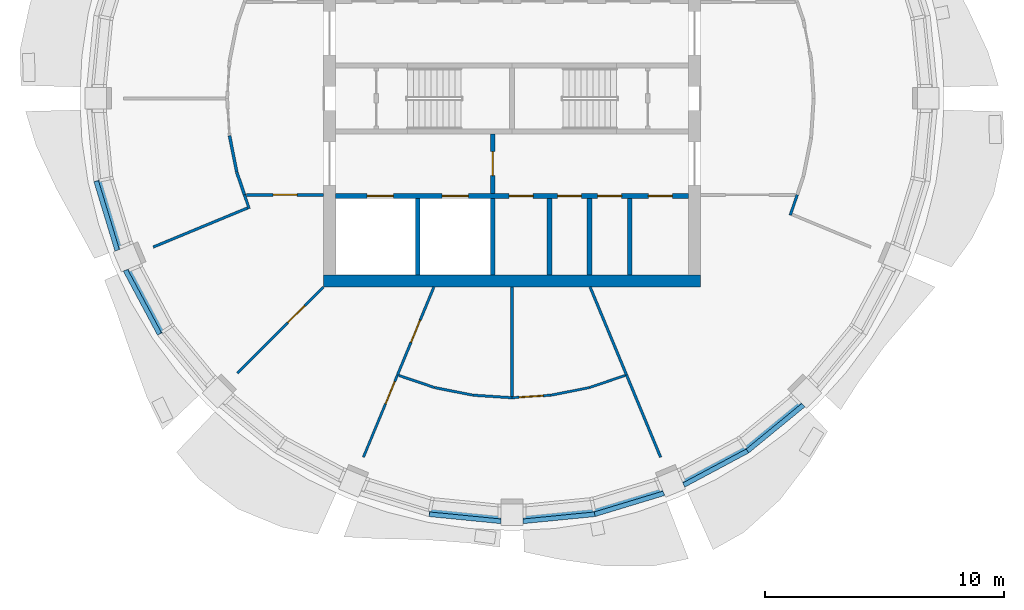
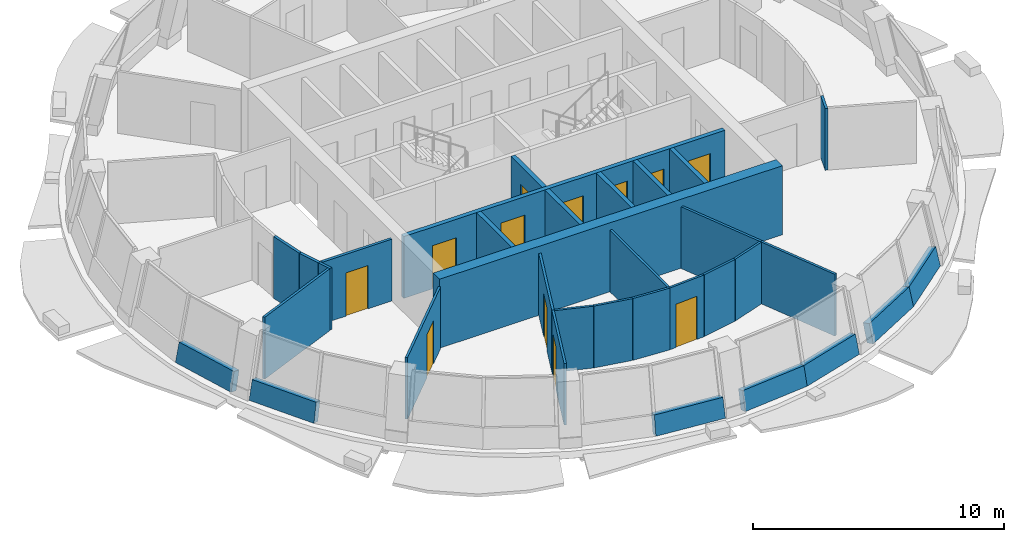
# One storey, part 4 of 11: 33 walls, 12 doors, 12 openings.
"""IFC4 building model written with IfcOpenShell, lengths in metres."""

from ifc_helpers import new_model, si_unit, direction, frame, frame_2d, origin, place, context, subcontext, project, spatial, polyline, rectangle, outline, extrude, material, layer, layer_set, type_object, element, fill, save


model = new_model("IFC4")

# Units and contexts
model_context = context("Model", 3, precision=1e-05, world=origin(), true_north=direction((0.0, 1.0)))
body_context = subcontext(model_context, "Body", "Model", "MODEL_VIEW")
ifc_project = project(units=[si_unit("LENGTHUNIT", "METRE"), si_unit("AREAUNIT", "SQUARE_METRE"), si_unit("VOLUMEUNIT", "CUBIC_METRE"), si_unit("PLANEANGLEUNIT", "RADIAN"), si_unit("MASSUNIT", "GRAM", prefix="KILO")], contexts=[model_context])

# Site, building, storey
site_placement = place(None, origin())
site = spatial("IfcSite", under=ifc_project, at=site_placement, CompositionType="ELEMENT")
building_placement = place(site_placement, origin())
building = spatial("IfcBuilding", under=site, at=building_placement, Name="Polderwave Tower", CompositionType="ELEMENT")
storey_placement = place(building_placement, frame((0.0, 0.0, 194.35009765625)))
storey = spatial("IfcBuildingStorey", under=building, at=storey_placement, Name="L52", CompositionType="ELEMENT", Elevation=194.35009765625)

# Walls
ifc_material_1 = material(Name="Concrete C60/75", Category="concrete")
ifc_layer_1 = layer(ifc_material_1, 0.5)
ifc_layer_set_1 = layer_set([ifc_layer_1], Name="CORE WALL 500 C60/75")
wall_type_1 = type_object("IfcWallType", Name="CORE WALL 500 C60/75", PredefinedType="SHEAR", material=ifc_layer_set_1)
wall_1_placement = place(storey_placement, frame((-7.8740234375, -7.6240234375, 0.0), z_axis=(0.0, 0.0, 1.0), x_axis=(1.0, 0.0, 0.0)))
element("IfcWall", 1, at=wall_1_placement, inside=storey, type_object=wall_type_1, Name="ST-CORE-L52-S", PredefinedType="SHEAR", context=body_context, shape_type="SweptSolid", body=[
    extrude(rectangle(XDim=15.748046875, YDim=0.5, at=frame_2d((7.8740234375, 0.0))), origin(), (0.0, 0.0, 1.0), 3.349853515625),
])
ifc_material_2 = material(Name="Concrete C50/60 (board-marked)", Category="concrete")
ifc_layer_2 = layer(ifc_material_2, 0.300048828125)
ifc_layer_set_2 = layer_set([ifc_layer_2], Name="Concrete spandrel upstand C50/60")
wall_type_2 = type_object("IfcWallType", Name="Concrete spandrel upstand C50/60", PredefinedType="SOLIDWALL", material=ifc_layer_set_2)
wall_2_placement = place(storey_placement, frame((-17.463134765625, -3.473388671875, 0.0), z_axis=(-0.935041095889, -0.283793868342, 0.212506915863), x_axis=(0.290427134364, -0.95689711026, -1.066012e-06)))
element("IfcWall", 2, at=wall_2_placement, inside=storey, type_object=wall_type_2, Name="Spandrel L52 9b", PredefinedType="SOLIDWALL", context=body_context, shape_type="SweptSolid", body=[
    extrude(outline(polyline([(0.0, 0.0), (3.0363904586248234, 0.0), (3.016955070826053, 0.9209402377429501), (0.019336098758911704, 0.9209336550658336), (0.0, 0.0)])), origin(), (0.0, 0.0, -1.0), 0.300048828125),
])
wall_3_placement = place(storey_placement, frame((-16.2353515625, -7.214599609375, 0.0), z_axis=(-0.861789394807, -0.460754770514, 0.212188784921), x_axis=(0.471490043987, -0.881871384263, -6.256758e-06)))
element("IfcWall", 3, at=wall_3_placement, inside=storey, type_object=wall_type_2, Name="Spandrel L52 10a", PredefinedType="SOLIDWALL", context=body_context, shape_type="SweptSolid", body=[
    extrude(outline(polyline([(0.0, 0.0), (3.03554549958396, -5.551115123125783e-17), (3.0163089928091895, 0.9208911097248913), (0.019423712232032004, 0.9208524867681933), (0.0, 0.0)])), origin(), (0.0, 0.0, -1.0), 0.300048828125),
])
wall_4_placement = place(storey_placement, frame((-3.473388671875, -17.463134765625, 0.0), z_axis=(-0.095859451019, -0.97243560254, 0.212555791646), x_axis=(0.995176371772, -0.098101931965, -3.531569e-06)))
element("IfcWall", 4, at=wall_4_placement, inside=storey, type_object=wall_type_2, Name="Spandrel L52 12b", PredefinedType="SOLIDWALL", context=body_context, shape_type="SweptSolid", body=[
    extrude(outline(polyline([(0.0, 0.0), (3.0356437454340064, 0.0), (3.0160933667967216, 0.9209578660590205), (0.019220983093998154, 0.920936063603324), (0.0, 0.0)])), origin(), (0.0, 0.0, -1.0), 0.300048828125),
])
wall_5_placement = place(storey_placement, frame((0.452392578125, -17.760986328125, 0.0), z_axis=(0.095864823567, -0.97249010376, 0.212303871116), x_axis=(0.99517637195, 0.098101930154, 3.527581e-06)))
element("IfcWall", 5, at=wall_5_placement, inside=storey, type_object=wall_type_2, Name="Spandrel L52 13a", PredefinedType="SOLIDWALL", context=body_context, shape_type="SweptSolid", body=[
    extrude(outline(polyline([(0.0, 0.0), (3.0356437454339593, 0.0), (3.0163988077285375, 0.9208844640206579), (0.019526424025674134, 0.9209062406361449), (0.0, 0.0)])), origin(), (0.0, 0.0, -1.0), 0.300048828125),
])
wall_6_placement = place(storey_placement, frame((3.473388671875, -17.463134765625, 0.0), z_axis=(0.283793868342, -0.935041095889, 0.212506915863), x_axis=(0.95689711026, 0.290427134364, -1.066012e-06)))
element("IfcWall", 6, at=wall_6_placement, inside=storey, type_object=wall_type_2, Name="Spandrel L52 13b", PredefinedType="SOLIDWALL", context=body_context, shape_type="SweptSolid", body=[
    extrude(outline(polyline([(0.0, 0.0), (3.0363904586248234, 0.0), (3.016955070826053, 0.9209402377429501), (0.019336098758911704, 0.9209336550658336), (0.0, 0.0)])), origin(), (0.0, 0.0, -1.0), 0.300048828125),
])
wall_7_placement = place(storey_placement, frame((7.214599609375, -16.2353515625, 0.0), z_axis=(0.460754770514, -0.861789394807, 0.212188784921), x_axis=(0.881871384263, 0.471490043987, -6.256758e-06)))
element("IfcWall", 7, at=wall_7_placement, inside=storey, type_object=wall_type_2, Name="Spandrel L52 14a", PredefinedType="SOLIDWALL", context=body_context, shape_type="SweptSolid", body=[
    extrude(outline(polyline([(0.0, 0.0), (3.03554549958396, -5.551115123125783e-17), (3.0163089928091895, 0.9208911097248913), (0.019423712232032004, 0.9208524867681933), (0.0, 0.0)])), origin(), (0.0, 0.0, -1.0), 0.300048828125),
])
wall_8_placement = place(storey_placement, frame((9.8916015625, -14.80419921875, 0.0), z_axis=(0.619802269372, -0.755497688388, 0.212293169277), x_axis=(0.773120249997, 0.634259472964, -5.64234e-07)))
element("IfcWall", 8, at=wall_8_placement, inside=storey, type_object=wall_type_2, Name="Spandrel L52 14b", PredefinedType="SOLIDWALL", context=body_context, shape_type="SweptSolid", body=[
    extrude(outline(polyline([(0.0, 0.0), (3.0362768375144626, 0.0), (3.01698634388749, 0.9208949038144901), (0.019221864233381108, 0.9208914197913123), (0.0, 0.0)])), origin(), (0.0, 0.0, -1.0), 0.300048828125),
])

# Wall, opening, door
ifc_material_3 = material(Name="Gypsum board partition")
ifc_layer_3 = layer(ifc_material_3, 0.199951171875)
ifc_layer_set_3 = layer_set([ifc_layer_3], Name="Core room partition 200")
wall_type_3 = type_object("IfcWallType", Name="Core room partition 200", PredefinedType="PARTITIONING", material=ifc_layer_set_3)
wall_9_placement = place(storey_placement, frame((-0.800048828125, -3.97412109375, 0.0), z_axis=(0.0, 0.0, 1.0), x_axis=(0.0, 1.0, 0.0)))
wall_9 = element("IfcWall", 9, at=wall_9_placement, inside=storey, type_object=wall_type_3, Name="L52 fire-fighting lobby wall", PredefinedType="PARTITIONING", context=body_context, shape_type="SweptSolid", body=[
    extrude(rectangle(XDim=2.4990234375, YDim=0.199951171875, at=frame_2d((1.24951171875, 0.0))), origin(), (0.0, 0.0, 1.0), 3.0),
])
opening_1_placement = place(wall_9_placement, frame((0.74951171875, 0.0, 0.0)))
opening_1 = element("IfcOpeningElement", 10, at=opening_1_placement, cuts=wall_9, Name="Opening L52-D14", PredefinedType="OPENING", context=body_context, shape_type="SweptSolid", body=[
    extrude(rectangle(XDim=1.0, YDim=2.10009765625, at=frame_2d((0.5, 1.050048828125))), frame((0.0, 0.10986328125, 0.0), z_axis=(0.0, -1.0, 0.0), x_axis=(1.0, 0.0, 0.0)), (0.0, 0.0, 1.0), 0.219970703125),
])
ifc_material_4 = material(Name="Steel fire door", Category="steel")
door_type_1 = type_object("IfcDoorType", Name="Lobby fire door 1000", OperationType="NOTDEFINED", PredefinedType="DOOR", material=ifc_material_4)
door_1_placement = place(opening_1_placement, frame((1.0, 0.0, 0.0), z_axis=(0.0, 0.0, 1.0), x_axis=(-1.0, 0.0, 0.0)))
door_1 = element("IfcDoor", 11, at=door_1_placement, inside=storey, type_object=door_type_1, Name="Fire-fighting lobby door", OperationType="SINGLE_SWING_LEFT", OverallHeight=2.10009765625, OverallWidth=1.0, PredefinedType="DOOR", context=body_context, shape_type="SweptSolid", body=[
    extrude(rectangle(XDim=1.0, YDim=2.10009765625, at=frame_2d((0.5, 1.050048828125))), frame((0.0, 0.02490234375, 0.0), z_axis=(0.0, -1.0, 0.0), x_axis=(1.0, 0.0, 0.0)), (0.0, 0.0, 1.0), 0.050048828125),
])
fill(opening_1, door_1)

# Walls
for number, where, z_axis, x_axis, name in (
    (12, (1.5634765625, -7.3740234375, 0.0), (0.0, 0.0, 1.0), (0.0, 1.0, 0.0), "L52 room partition S1"),
    (13, (3.23876953125, -7.3740234375, 0.0), (0.0, 0.0, 1.0), (0.0, 1.0, 0.0), "L52 room partition S2"),
    (14, (4.913818359375, -7.3740234375, 0.0), (0.0, 0.0, 1.0), (0.0, 1.0, 0.0), "L52 room partition S3"),
):
    element("IfcWall", number, at=place(storey_placement, frame(where, z_axis=z_axis, x_axis=x_axis)), inside=storey, type_object=wall_type_3, Name=name, PredefinedType="PARTITIONING", context=body_context, shape_type="SweptSolid", body=[
        extrude(rectangle(XDim=3.199951171875, YDim=0.199951171875, at=frame_2d((1.60009765625, 0.0))), origin(), (0.0, 0.0, 1.0), 3.0),
    ])

# Wall, openings, doors
ifc_material_5 = material(Name="Concrete C50/60", Category="concrete")
ifc_layer_4 = layer(ifc_material_5, 0.199951171875)
ifc_layer_set_4 = layer_set([ifc_layer_4], Name="Core web wall 200")
wall_type_4 = type_object("IfcWallType", Name="Core web wall 200", PredefinedType="SHEAR", material=ifc_layer_set_4)
wall_10_placement = place(storey_placement, frame((-7.3740234375, -4.073974609375, 0.0), z_axis=(0.0, 0.0, 1.0), x_axis=(1.0, 0.0, 0.0)))
wall_10 = element("IfcWall", 15, at=wall_10_placement, inside=storey, type_object=wall_type_4, Name="L52 south front wall", PredefinedType="SHEAR", context=body_context, shape_type="SweptSolid", body=[
    extrude(rectangle(XDim=14.748046875, YDim=0.199951171875, at=frame_2d((7.3740234375, 0.0))), origin(), (0.0, 0.0, 1.0), 3.0),
])
opening_2_placement = place(wall_10_placement, frame((1.318603515625, 0.0, 0.0)))
opening_2 = element("IfcOpeningElement", 16, at=opening_2_placement, cuts=wall_10, Name="Opening L52-D01", PredefinedType="OPENING", context=body_context, shape_type="SweptSolid", body=[
    extrude(rectangle(XDim=1.10009765625, YDim=2.10009765625, at=frame_2d((0.550048828125, 1.050048828125))), frame((0.0, 0.10986328125, 0.0), z_axis=(0.0, -1.0, 0.0), x_axis=(1.0, 0.0, 0.0)), (0.0, 0.0, 1.0), 0.219970703125),
])
opening_3_placement = place(wall_10_placement, frame((4.45556640625, 0.0, 0.0)))
opening_3 = element("IfcOpeningElement", 17, at=opening_3_placement, cuts=wall_10, Name="Opening L52-D02", PredefinedType="OPENING", context=body_context, shape_type="SweptSolid", body=[
    extrude(rectangle(XDim=1.10009765625, YDim=2.10009765625, at=frame_2d((0.550048828125, 1.050048828125))), frame((0.0, 0.10986328125, 0.0), z_axis=(0.0, -1.0, 0.0), x_axis=(1.0, 0.0, 0.0)), (0.0, 0.0, 1.0), 0.219970703125),
])
opening_4_placement = place(wall_10_placement, frame((7.255859375, 0.0, 0.0)))
opening_4 = element("IfcOpeningElement", 18, at=opening_4_placement, cuts=wall_10, Name="Opening L52-D15", PredefinedType="OPENING", context=body_context, shape_type="SweptSolid", body=[
    extrude(rectangle(XDim=1.0, YDim=2.10009765625, at=frame_2d((0.5, 1.050048828125))), frame((0.0, 0.10986328125, 0.0), z_axis=(0.0, -1.0, 0.0), x_axis=(1.0, 0.0, 0.0)), (0.0, 0.0, 1.0), 0.219970703125),
])
opening_5_placement = place(wall_10_placement, frame((9.275146484375, 0.0, 0.0)))
opening_5 = element("IfcOpeningElement", 19, at=opening_5_placement, cuts=wall_10, Name="Opening L52-D16", PredefinedType="OPENING", context=body_context, shape_type="SweptSolid", body=[
    extrude(rectangle(XDim=1.0, YDim=2.10009765625, at=frame_2d((0.5, 1.050048828125))), frame((0.0, 0.10986328125, 0.0), z_axis=(0.0, -1.0, 0.0), x_axis=(1.0, 0.0, 0.0)), (0.0, 0.0, 1.0), 0.219970703125),
])
opening_6_placement = place(wall_10_placement, frame((10.9501953125, 0.0, 0.0)))
opening_6 = element("IfcOpeningElement", 20, at=opening_6_placement, cuts=wall_10, Name="Opening L52-D17", PredefinedType="OPENING", context=body_context, shape_type="SweptSolid", body=[
    extrude(rectangle(XDim=1.0, YDim=2.10009765625, at=frame_2d((0.5, 1.050048828125))), frame((0.0, 0.10986328125, 0.0), z_axis=(0.0, -1.0, 0.0), x_axis=(1.0, 0.0, 0.0)), (0.0, 0.0, 1.0), 0.219970703125),
])
opening_7_placement = place(wall_10_placement, frame((13.06787109375, 0.0, 0.0)))
opening_7 = element("IfcOpeningElement", 21, at=opening_7_placement, cuts=wall_10, Name="Opening L52-D18", PredefinedType="OPENING", context=body_context, shape_type="SweptSolid", body=[
    extrude(rectangle(XDim=1.0, YDim=2.10009765625, at=frame_2d((0.5, 1.050048828125))), frame((0.0, 0.10986328125, 0.0), z_axis=(0.0, -1.0, 0.0), x_axis=(1.0, 0.0, 0.0)), (0.0, 0.0, 1.0), 0.219970703125),
])
ifc_material_6 = material(Name="Timber door leaf", Category="wood")
door_type_2 = type_object("IfcDoorType", Name="Accessible WC door 1000", OperationType="NOTDEFINED", PredefinedType="DOOR", material=ifc_material_6)
door_2_placement = place(opening_4_placement, frame((1.0, 0.0, 0.0), z_axis=(0.0, 0.0, 1.0), x_axis=(-1.0, 0.0, 0.0)))
door_2 = element("IfcDoor", 22, at=door_2_placement, inside=storey, type_object=door_type_2, Name="Accessible WC door", OperationType="SINGLE_SWING_LEFT", OverallHeight=2.10009765625, OverallWidth=1.0, PredefinedType="DOOR", context=body_context, shape_type="SweptSolid", body=[
    extrude(rectangle(XDim=1.0, YDim=2.10009765625, at=frame_2d((0.5, 1.050048828125))), frame((0.0, 0.02490234375, 0.0), z_axis=(0.0, -1.0, 0.0), x_axis=(1.0, 0.0, 0.0)), (0.0, 0.0, 1.0), 0.050048828125),
])
fill(opening_4, door_2)
ifc_material_7 = material(Name="Stainless steel", Category="steel")
door_type_3 = type_object("IfcDoorType", Name="Fire-fighting lift landing door 1100", OperationType="DOUBLE_DOOR_SLIDING", PredefinedType="DOOR", material=ifc_material_7)
door_3_placement = place(opening_2_placement, origin())
door_3 = element("IfcDoor", 23, at=door_3_placement, inside=storey, type_object=door_type_3, Name="Fire-fighting lift FF1 landing door", OperationType="DOUBLE_DOOR_SLIDING", OverallHeight=2.10009765625, OverallWidth=1.10009765625, PredefinedType="DOOR", context=body_context, shape_type="SweptSolid", body=[
    extrude(rectangle(XDim=1.10009765625, YDim=2.10009765625, at=frame_2d((0.550048828125, 1.050048828125))), frame((0.0, 0.02490234375, 0.0), z_axis=(0.0, -1.0, 0.0), x_axis=(1.0, 0.0, 0.0)), (0.0, 0.0, 1.0), 0.050048828125),
])
fill(opening_2, door_3)
door_4_placement = place(opening_3_placement, origin())
door_4 = element("IfcDoor", 24, at=door_4_placement, inside=storey, type_object=door_type_3, Name="Fire-fighting lift FF2 landing door", OperationType="DOUBLE_DOOR_SLIDING", OverallHeight=2.10009765625, OverallWidth=1.10009765625, PredefinedType="DOOR", context=body_context, shape_type="SweptSolid", body=[
    extrude(rectangle(XDim=1.10009765625, YDim=2.10009765625, at=frame_2d((0.550048828125, 1.050048828125))), frame((0.0, 0.02490234375, 0.0), z_axis=(0.0, -1.0, 0.0), x_axis=(1.0, 0.0, 0.0)), (0.0, 0.0, 1.0), 0.050048828125),
])
fill(opening_3, door_4)
door_type_4 = type_object("IfcDoorType", Name="Room door 1000", OperationType="NOTDEFINED", PredefinedType="DOOR", material=ifc_material_6)
door_5_placement = place(opening_5_placement, frame((1.0, 0.0, 0.0), z_axis=(0.0, 0.0, 1.0), x_axis=(-1.0, 0.0, 0.0)))
door_5 = element("IfcDoor", 25, at=door_5_placement, inside=storey, type_object=door_type_4, Name="Staff WC door", OperationType="SINGLE_SWING_LEFT", OverallHeight=2.10009765625, OverallWidth=1.0, PredefinedType="DOOR", context=body_context, shape_type="SweptSolid", body=[
    extrude(rectangle(XDim=1.0, YDim=2.10009765625, at=frame_2d((0.5, 1.050048828125))), frame((0.0, 0.02490234375, 0.0), z_axis=(0.0, -1.0, 0.0), x_axis=(1.0, 0.0, 0.0)), (0.0, 0.0, 1.0), 0.050048828125),
])
fill(opening_5, door_5)
door_6_placement = place(opening_6_placement, frame((1.0, 0.0, 0.0), z_axis=(0.0, 0.0, 1.0), x_axis=(-1.0, 0.0, 0.0)))
door_6 = element("IfcDoor", 26, at=door_6_placement, inside=storey, type_object=door_type_4, Name="Cleaner's store door", OperationType="SINGLE_SWING_LEFT", OverallHeight=2.10009765625, OverallWidth=1.0, PredefinedType="DOOR", context=body_context, shape_type="SweptSolid", body=[
    extrude(rectangle(XDim=1.0, YDim=2.10009765625, at=frame_2d((0.5, 1.050048828125))), frame((0.0, 0.02490234375, 0.0), z_axis=(0.0, -1.0, 0.0), x_axis=(1.0, 0.0, 0.0)), (0.0, 0.0, 1.0), 0.050048828125),
])
fill(opening_6, door_6)
door_7_placement = place(opening_7_placement, frame((1.0, 0.0, 0.0), z_axis=(0.0, 0.0, 1.0), x_axis=(-1.0, 0.0, 0.0)))
door_7 = element("IfcDoor", 27, at=door_7_placement, inside=storey, type_object=door_type_4, Name="IT room door", OperationType="SINGLE_SWING_LEFT", OverallHeight=2.10009765625, OverallWidth=1.0, PredefinedType="DOOR", context=body_context, shape_type="SweptSolid", body=[
    extrude(rectangle(XDim=1.0, YDim=2.10009765625, at=frame_2d((0.5, 1.050048828125))), frame((0.0, 0.02490234375, 0.0), z_axis=(0.0, -1.0, 0.0), x_axis=(1.0, 0.0, 0.0)), (0.0, 0.0, 1.0), 0.050048828125),
])
fill(opening_7, door_7)

# Walls
ifc_material_8 = material(Name="Fire-resisting board on steel studs", Category="steel")
ifc_layer_5 = layer(ifc_material_8, 0.125)
ifc_layer_set_5 = layer_set([ifc_layer_5], Name="Corridor wall 125 mm EI 60")
wall_type_5 = type_object("IfcWallType", Name="Corridor wall 125 mm EI 60", PredefinedType="PARTITIONING", material=ifc_layer_set_5)
wall_11_placement = place(storey_placement, frame((-11.495361328125, -3.075927734375, 0.0), z_axis=(0.0, 0.0, 1.0), x_axis=(-0.195054687935, 0.98079236779, 0.0)))
element("IfcWall", 28, at=wall_11_placement, inside=storey, type_object=wall_type_5, Name="IN-L52-W014", PredefinedType="PARTITIONING", context=body_context, shape_type="SweptSolid", body=[
    extrude(rectangle(XDim=1.54833984375, YDim=0.125, at=frame_2d((0.774169921875, 0.0))), origin(), (0.0, 0.0, 1.0), 3.0),
])
wall_12_placement = place(storey_placement, frame((-11.173828125, -4.0244140625, 0.0), z_axis=(0.0, 0.0, 1.0), x_axis=(-0.321457698768, 0.946923939872, 0.0)))
element("IfcWall", 29, at=wall_12_placement, inside=storey, type_object=wall_type_5, Name="IN-L52-W015", PredefinedType="PARTITIONING", context=body_context, shape_type="SweptSolid", body=[
    extrude(rectangle(XDim=0.993408203125, YDim=0.125, at=frame_2d((0.49658203125, 0.0))), origin(), (0.0, 0.0, 1.0), 3.0),
])

# Wall, opening, door
wall_13_placement = place(storey_placement, frame((-7.8740234375, -4.0244140625, 0.0), z_axis=(0.0, 0.0, 1.0), x_axis=(-1.0, 0.0, 0.0)))
wall_13 = element("IfcWall", 30, at=wall_13_placement, inside=storey, type_object=wall_type_5, Name="IN-L52-W016", PredefinedType="PARTITIONING", context=body_context, shape_type="SweptSolid", body=[
    extrude(rectangle(XDim=3.212646484375, YDim=0.125, at=frame_2d((1.6064453125, 0.0))), origin(), (0.0, 0.0, 1.0), 3.0),
])
opening_8_placement = place(wall_13_placement, frame((1.10009765625, 0.0, 0.0)))
opening_8 = element("IfcOpeningElement", 31, at=opening_8_placement, cuts=wall_13, Name="Opening L52-D56", PredefinedType="OPENING", context=body_context, shape_type="SweptSolid", body=[
    extrude(rectangle(XDim=1.0, YDim=2.10009765625, at=frame_2d((0.5, 1.050048828125))), frame((0.0, 0.072509765625, 0.0), z_axis=(0.0, -1.0, 0.0), x_axis=(1.0, 0.0, 0.0)), (0.0, 0.0, 1.0), 0.14501953125),
])
ifc_material_9 = material(Name="Timber fire door leaf", Category="wood")
door_type_5 = type_object("IfcDoorType", Name="Fire door FD30S 1000 x 2100", OperationType="NOTDEFINED", PredefinedType="DOOR", material=ifc_material_9)
door_8_placement = place(opening_8_placement, origin())
door_8 = element("IfcDoor", 32, at=door_8_placement, inside=storey, type_object=door_type_5, Name="Door L52-D56", OperationType="SINGLE_SWING_LEFT", OverallHeight=2.10009765625, OverallWidth=1.0, PredefinedType="DOOR", context=body_context, shape_type="SweptSolid", body=[
    extrude(rectangle(XDim=1.0, YDim=2.10009765625, at=frame_2d((0.5, 1.050048828125))), frame((0.0, 0.02490234375, 0.0), z_axis=(0.0, -1.0, 0.0), x_axis=(1.0, 0.0, 0.0)), (0.0, 0.0, 1.0), 0.050048828125),
])
fill(opening_8, door_8)

ifc_material_10 = material(Name="Plasterboard on steel studs", Category="steel")
ifc_layer_6 = layer(ifc_material_10, 0.10009765625)
ifc_layer_set_6 = layer_set([ifc_layer_6], Name="Partition 100 mm plasterboard on steel studs")
wall_type_6 = type_object("IfcWallType", Name="Partition 100 mm plasterboard on steel studs", PredefinedType="PARTITIONING", material=ifc_layer_set_6)
wall_14_placement = place(storey_placement, frame((-7.8740234375, -7.8740234375, 0.0), z_axis=(0.0, 0.0, 1.0), x_axis=(-0.707106781187, -0.707106781187, 0.0)))
wall_14 = element("IfcWall", 33, at=wall_14_placement, inside=storey, type_object=wall_type_6, Name="IN-L52-W040", PredefinedType="PARTITIONING", context=body_context, shape_type="SweptSolid", body=[
    extrude(rectangle(XDim=5.08447265625, YDim=0.10009765625, at=frame_2d((2.542236328125, 0.0))), origin(), (0.0, 0.0, 1.0), 3.0),
])
opening_9_placement = place(wall_14_placement, frame((1.10009765625, 0.0, 0.0)))
opening_9 = element("IfcOpeningElement", 34, at=opening_9_placement, cuts=wall_14, Name="Opening L52-D63", PredefinedType="OPENING", context=body_context, shape_type="SweptSolid", body=[
    extrude(rectangle(XDim=1.0, YDim=2.10009765625, at=frame_2d((0.5, 1.050048828125))), frame((0.0, 0.06005859375, 0.0), z_axis=(0.0, -1.0, 0.0), x_axis=(1.0, 0.0, 0.0)), (0.0, 0.0, 1.0), 0.1201171875),
])
ifc_material_11 = material(Name="Timber veneer door leaf", Category="wood")
door_type_6 = type_object("IfcDoorType", Name="Single door 1000 x 2100", OperationType="NOTDEFINED", PredefinedType="DOOR", material=ifc_material_11)
door_9_placement = place(opening_9_placement, origin())
door_9 = element("IfcDoor", 35, at=door_9_placement, inside=storey, type_object=door_type_6, Name="Door L52-D63", OperationType="SINGLE_SWING_LEFT", OverallHeight=2.10009765625, OverallWidth=1.0, PredefinedType="DOOR", context=body_context, shape_type="SweptSolid", body=[
    extrude(rectangle(XDim=1.0, YDim=2.10009765625, at=frame_2d((0.5, 1.050048828125))), frame((0.0, 0.02490234375, 0.0), z_axis=(0.0, -1.0, 0.0), x_axis=(1.0, 0.0, 0.0)), (0.0, 0.0, 1.0), 0.050048828125),
])
fill(opening_9, door_9)

wall_15_placement = place(storey_placement, frame((-4.783447265625, -11.548583984375, 0.0), z_axis=(0.0, 0.0, 1.0), x_axis=(-0.382689912762, -0.923876848216, 0.0)))
wall_15 = element("IfcWall", 36, at=wall_15_placement, inside=storey, type_object=wall_type_6, Name="IN-L52-W042", PredefinedType="PARTITIONING", context=body_context, shape_type="SweptSolid", body=[
    extrude(rectangle(XDim=3.719970703125, YDim=0.10009765625, at=frame_2d((1.85986328125, 0.0))), origin(), (0.0, 0.0, 1.0), 3.0),
])
opening_10_placement = place(wall_15_placement, frame((0.300048828125, 0.0, 0.0)))
opening_10 = element("IfcOpeningElement", 37, at=opening_10_placement, cuts=wall_15, Name="Opening L52-D65", PredefinedType="OPENING", context=body_context, shape_type="SweptSolid", body=[
    extrude(rectangle(XDim=1.0, YDim=2.10009765625, at=frame_2d((0.5, 1.050048828125))), frame((0.0, 0.06005859375, 0.0), z_axis=(0.0, -1.0, 0.0), x_axis=(1.0, 0.0, 0.0)), (0.0, 0.0, 1.0), 0.1201171875),
])
door_10_placement = place(opening_10_placement, origin())
door_10 = element("IfcDoor", 38, at=door_10_placement, inside=storey, type_object=door_type_6, Name="Door L52-D65", OperationType="SINGLE_SWING_LEFT", OverallHeight=2.10009765625, OverallWidth=1.0, PredefinedType="DOOR", context=body_context, shape_type="SweptSolid", body=[
    extrude(rectangle(XDim=1.0, YDim=2.10009765625, at=frame_2d((0.5, 1.050048828125))), frame((0.0, 0.02490234375, 0.0), z_axis=(0.0, -1.0, 0.0), x_axis=(1.0, 0.0, 0.0)), (0.0, 0.0, 1.0), 0.050048828125),
])
fill(opening_10, door_10)

wall_16_placement = place(storey_placement, frame((0.0, -12.5, 0.0), z_axis=(0.0, 0.0, 1.0), x_axis=(0.997860630529, 0.065377075793, 0.0)))
wall_16 = element("IfcWall", 39, at=wall_16_placement, inside=storey, type_object=wall_type_6, Name="IN-L52-W047", PredefinedType="PARTITIONING", context=body_context, shape_type="SweptSolid", body=[
    extrude(rectangle(XDim=1.6318359375, YDim=0.10009765625, at=frame_2d((0.81591796875, 0.0))), origin(), (0.0, 0.0, 1.0), 3.0),
])
opening_11_placement = place(wall_16_placement, frame((0.300048828125, 0.0, 0.0)))
opening_11 = element("IfcOpeningElement", 40, at=opening_11_placement, cuts=wall_16, Name="Opening L52-D66", PredefinedType="OPENING", context=body_context, shape_type="SweptSolid", body=[
    extrude(rectangle(XDim=1.0, YDim=2.10009765625, at=frame_2d((0.5, 1.050048828125))), frame((0.0, 0.06005859375, 0.0), z_axis=(0.0, -1.0, 0.0), x_axis=(1.0, 0.0, 0.0)), (0.0, 0.0, 1.0), 0.1201171875),
])
door_11_placement = place(opening_11_placement, origin())
door_11 = element("IfcDoor", 41, at=door_11_placement, inside=storey, type_object=door_type_6, Name="Door L52-D66", OperationType="SINGLE_SWING_LEFT", OverallHeight=2.10009765625, OverallWidth=1.0, PredefinedType="DOOR", context=body_context, shape_type="SweptSolid", body=[
    extrude(rectangle(XDim=1.0, YDim=2.10009765625, at=frame_2d((0.5, 1.050048828125))), frame((0.0, 0.02490234375, 0.0), z_axis=(0.0, -1.0, 0.0), x_axis=(1.0, 0.0, 0.0)), (0.0, 0.0, 1.0), 0.050048828125),
])
fill(opening_11, door_11)

# Walls
wall_17_placement = place(storey_placement, frame((1.634765625, -12.392578125, 0.0), z_axis=(0.0, 0.0, 1.0), x_axis=(0.980764756379, 0.195193474902, 0.0)))
element("IfcWall", 42, at=wall_17_placement, inside=storey, type_object=wall_type_6, Name="IN-L52-W048", PredefinedType="PARTITIONING", context=body_context, shape_type="SweptSolid", body=[
    extrude(rectangle(XDim=1.62841796875, YDim=0.10009765625, at=frame_2d((0.814208984375, 0.0))), origin(), (0.0, 0.0, 1.0), 3.0),
])
wall_18_placement = place(storey_placement, frame((3.23828125, -12.072998046875, 0.0), z_axis=(0.0, 0.0, 1.0), x_axis=(0.946962681405, 0.321343554512, 0.0)))
element("IfcWall", 43, at=wall_18_placement, inside=storey, type_object=wall_type_6, Name="IN-L52-W049", PredefinedType="PARTITIONING", context=body_context, shape_type="SweptSolid", body=[
    extrude(rectangle(XDim=1.573486328125, YDim=0.10009765625, at=frame_2d((0.78662109375, 0.0))), origin(), (0.0, 0.0, 1.0), 3.0),
])

# Wall, opening, door
ifc_material_12 = material(Name="Moisture-resistant board on steel studs, tiled", Category="steel")
ifc_layer_7 = layer(ifc_material_12, 0.10498046875)
ifc_layer_set_7 = layer_set([ifc_layer_7], Name="Partition 105 mm wet room board and tile")
wall_type_7 = type_object("IfcWallType", Name="Partition 105 mm wet room board and tile", PredefinedType="PARTITIONING", material=ifc_layer_set_7)
wall_19_placement = place(storey_placement, frame((-3.261474609375, -7.8740234375, 0.0), z_axis=(0.0, 0.0, 1.0), x_axis=(-0.382666229821, -0.923886657851, 0.0)))
wall_19 = element("IfcWall", 44, at=wall_19_placement, inside=storey, type_object=wall_type_7, Name="IN-L52-W041", PredefinedType="PARTITIONING", context=body_context, shape_type="SweptSolid", body=[
    extrude(rectangle(XDim=3.977294921875, YDim=0.10498046875, at=frame_2d((1.98876953125, 0.0))), origin(), (0.0, 0.0, 1.0), 3.0),
])
opening_12_placement = place(wall_19_placement, frame((1.5, 0.0, 0.0)))
opening_12 = element("IfcOpeningElement", 45, at=opening_12_placement, cuts=wall_19, Name="Opening L52-D64", PredefinedType="OPENING", context=body_context, shape_type="SweptSolid", body=[
    extrude(rectangle(XDim=1.0, YDim=2.10009765625, at=frame_2d((0.5, 1.050048828125))), frame((0.0, 0.0625, 0.0), z_axis=(0.0, -1.0, 0.0), x_axis=(1.0, 0.0, 0.0)), (0.0, 0.0, 1.0), 0.125),
])
door_12_placement = place(opening_12_placement, origin())
door_12 = element("IfcDoor", 46, at=door_12_placement, inside=storey, type_object=door_type_6, Name="Door L52-D64", OperationType="SINGLE_SWING_RIGHT", OverallHeight=2.10009765625, OverallWidth=1.0, PredefinedType="DOOR", context=body_context, shape_type="SweptSolid", body=[
    extrude(rectangle(XDim=1.0, YDim=2.10009765625, at=frame_2d((0.5, 1.050048828125))), frame((0.0, 0.02490234375, 0.0), z_axis=(0.0, -1.0, 0.0), x_axis=(1.0, 0.0, 0.0)), (0.0, 0.0, 1.0), 0.050048828125),
])
fill(opening_12, door_12)

# Walls
wall_20_placement = place(storey_placement, frame((-3.238525390625, -12.072998046875, 0.0), z_axis=(0.0, 0.0, 1.0), x_axis=(-0.946902062217, 0.321522136982, 0.0)))
element("IfcWall", 47, at=wall_20_placement, inside=storey, type_object=wall_type_7, Name="IN-L52-W043", PredefinedType="PARTITIONING", context=body_context, shape_type="SweptSolid", body=[
    extrude(rectangle(XDim=1.57568359375, YDim=0.10498046875, at=frame_2d((0.787841796875, 0.0))), origin(), (0.0, 0.0, 1.0), 3.0),
])
wall_21_placement = place(storey_placement, frame((-1.635009765625, -12.392333984375, 0.0), z_axis=(0.0, 0.0, 1.0), x_axis=(-0.980782034379, 0.195106640172, 0.0)))
element("IfcWall", 48, at=wall_21_placement, inside=storey, type_object=wall_type_7, Name="IN-L52-W044", PredefinedType="PARTITIONING", context=body_context, shape_type="SweptSolid", body=[
    extrude(rectangle(XDim=1.6279296875, YDim=0.10498046875, at=frame_2d((0.81396484375, 0.0))), origin(), (0.0, 0.0, 1.0), 3.0),
])
wall_22_placement = place(storey_placement, frame((0.0, -12.5, 0.0), z_axis=(0.0, 0.0, 1.0), x_axis=(-0.997859990953, 0.065386837014, 0.0)))
element("IfcWall", 49, at=wall_22_placement, inside=storey, type_object=wall_type_7, Name="IN-L52-W045", PredefinedType="PARTITIONING", context=body_context, shape_type="SweptSolid", body=[
    extrude(rectangle(XDim=1.631591796875, YDim=0.10498046875, at=frame_2d((0.81591796875, 0.0))), origin(), (0.0, 0.0, 1.0), 3.0),
])
wall_23_placement = place(storey_placement, frame((0.0, -7.8740234375, 0.0), z_axis=(0.0, 0.0, 1.0), x_axis=(0.0, -1.0, 0.0)))
element("IfcWall", 50, at=wall_23_placement, inside=storey, type_object=wall_type_7, Name="IN-L52-W046", PredefinedType="PARTITIONING", context=body_context, shape_type="SweptSolid", body=[
    extrude(rectangle(XDim=4.56982421875, YDim=0.10498046875, at=frame_2d((2.284912109375, 0.0))), origin(), (0.0, 0.0, 1.0), 3.0),
])
ifc_material_13 = material(Name="Acoustic double plasterboard on steel studs", Category="steel")
ifc_layer_8 = layer(ifc_material_13, 0.110107421875)
ifc_layer_set_8 = layer_set([ifc_layer_8], Name="Partition 110 mm acoustic double board")
wall_type_8 = type_object("IfcWallType", Name="Partition 110 mm acoustic double board", PredefinedType="PARTITIONING", material=ifc_layer_set_8)
wall_24_placement = place(storey_placement, frame((11.623291015625, -4.873779296875, 0.0), z_axis=(0.0, 0.0, 1.0), x_axis=(0.321448894187, 0.946926928768, 0.0)))
element("IfcWall", 51, at=wall_24_placement, inside=storey, type_object=wall_type_8, Name="IN-L52-W019", PredefinedType="PARTITIONING", context=body_context, shape_type="SweptSolid", body=[
    extrude(rectangle(XDim=0.89697265625, YDim=0.110107421875, at=frame_2d((0.448486328125, 0.0))), origin(), (0.0, 0.0, 1.0), 3.0),
])
wall_25_placement = place(storey_placement, frame((-11.173828125, -4.0244140625, 0.0), z_axis=(0.0, 0.0, 1.0), x_axis=(0.321232679022, -0.947000298801, 0.0)))
element("IfcWall", 52, at=wall_25_placement, inside=storey, type_object=wall_type_8, Name="IN-L52-W038", PredefinedType="PARTITIONING", context=body_context, shape_type="SweptSolid", body=[
    extrude(rectangle(XDim=0.614013671875, YDim=0.110107421875, at=frame_2d((0.30712890625, 0.0))), origin(), (0.0, 0.0, 1.0), 3.0),
])
wall_26_placement = place(storey_placement, frame((-11.048583984375, -4.576416015625, 0.0), z_axis=(0.0, 0.0, 1.0), x_axis=(-0.923883456083, -0.382673959887, 0.0)))
element("IfcWall", 53, at=wall_26_placement, inside=storey, type_object=wall_type_8, Name="IN-L52-W039", PredefinedType="PARTITIONING", context=body_context, shape_type="SweptSolid", body=[
    extrude(rectangle(XDim=4.26123046875, YDim=0.110107421875, at=frame_2d((2.130615234375, 0.0))), origin(), (0.0, 0.0, 1.0), 3.0),
])
wall_27_placement = place(storey_placement, frame((4.783447265625, -11.548583984375, 0.0), z_axis=(0.0, 0.0, 1.0), x_axis=(0.382689912762, -0.923876848216, 0.0)))
element("IfcWall", 54, at=wall_27_placement, inside=storey, type_object=wall_type_8, Name="IN-L52-W050", PredefinedType="PARTITIONING", context=body_context, shape_type="SweptSolid", body=[
    extrude(rectangle(XDim=3.719970703125, YDim=0.110107421875, at=frame_2d((1.85986328125, 0.0))), origin(), (0.0, 0.0, 1.0), 3.0),
])
wall_28_placement = place(storey_placement, frame((3.261474609375, -7.8740234375, 0.0), z_axis=(0.0, 0.0, 1.0), x_axis=(0.382666229821, -0.923886657851, 0.0)))
element("IfcWall", 55, at=wall_28_placement, inside=storey, type_object=wall_type_8, Name="IN-L52-W051", PredefinedType="PARTITIONING", context=body_context, shape_type="SweptSolid", body=[
    extrude(rectangle(XDim=3.977294921875, YDim=0.110107421875, at=frame_2d((1.98876953125, 0.0))), origin(), (0.0, 0.0, 1.0), 3.0),
])
ifc_material_14 = material(Name="Gypsum shaft wall system")
ifc_layer_9 = layer(ifc_material_14, 0.199951171875)
ifc_layer_set_9 = layer_set([ifc_layer_9], Name="Shaft wall 200")
wall_type_9 = type_object("IfcWallType", Name="Shaft wall 200", PredefinedType="PARTITIONING", material=ifc_layer_set_9)
for number, where, z_axis, x_axis, name in (
    (56, (-3.93701171875, -7.3740234375, 0.0), (0.0, 0.0, 1.0), (0.0, 1.0, 0.0), "L52 fire-fighting shaft wall 1"),
    (57, (-0.800048828125, -7.3740234375, 0.0), (0.0, 0.0, 1.0), (0.0, 1.0, 0.0), "L52 fire-fighting shaft wall 2"),
):
    element("IfcWall", number, at=place(storey_placement, frame(where, z_axis=z_axis, x_axis=x_axis)), inside=storey, type_object=wall_type_9, Name=name, PredefinedType="PARTITIONING", context=body_context, shape_type="SweptSolid", body=[
        extrude(rectangle(XDim=3.199951171875, YDim=0.199951171875, at=frame_2d((1.60009765625, 0.0))), origin(), (0.0, 0.0, 1.0), 3.0),
    ])

save(model, "model.ifc")
